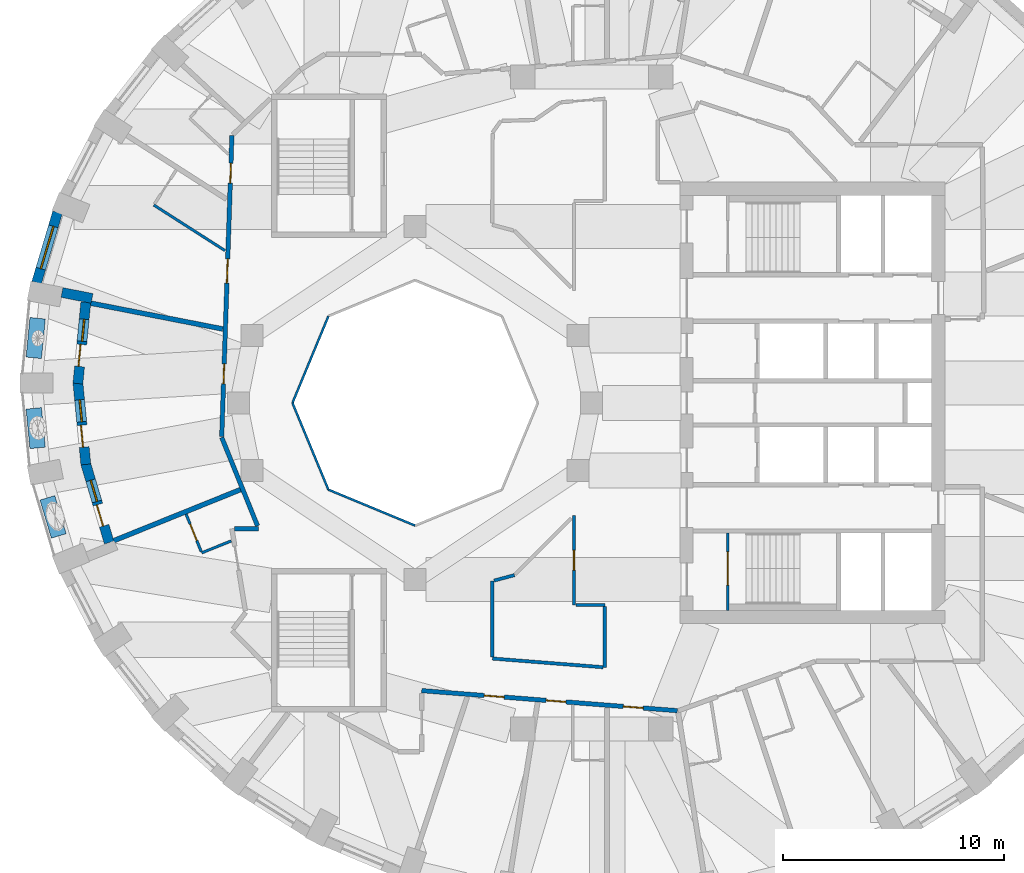
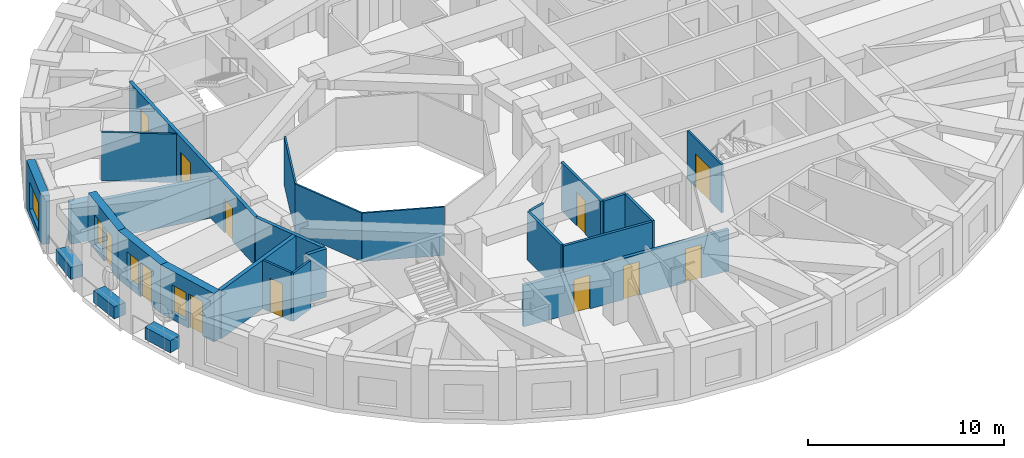
# One storey, part 4 of 12: 27 walls, 12 doors, 4 windows, 16 openings.
"""IFC4 building model written with IfcOpenShell, lengths in metres."""

import ifcopenshell
import ifcopenshell.guid

model = None  # the IFC model being written
_history = None  # IfcOwnerHistory: only IFC2X3 demands one
_inside = {}  # id of a spatial element -> (the spatial element, [elements in it])
_under = {}  # id of a project, library or spatial element -> (it, [spatial elements below it])
_declared = {}  # id of a project -> (the project, [libraries it declares])
_typed = {}  # id of a type object -> (the type object, [elements of that type])
_made_of = {}  # id of a material, layer set ... -> (it, [elements and type objects made of it])


def new_model(schema):
    """Start an empty IFC model of exactly this schema.

    Asked for "IFC4X3", IfcOpenShell would pick the latest addendum, in which some entities
    have other attributes; the version numbers below select the first issue.
    IFC2X3 requires an IfcOwnerHistory on every rooted entity: one is made here for all.
    """
    global model, _history
    if schema == "IFC4X3":
        model = ifcopenshell.file(schema_version=(4, 3, 0, 0))
    else:
        model = ifcopenshell.file(schema=schema)
    _inside.clear()
    _under.clear()
    _declared.clear()
    _typed.clear()
    _made_of.clear()
    _history = None
    if model.schema == "IFC2X3":
        org = make("IfcOrganization", Name="unknown")
        user = make(
            "IfcPersonAndOrganization",
            ThePerson=make("IfcPerson", FamilyName="unknown"),
            TheOrganization=org,
        )
        app = make(
            "IfcApplication",
            ApplicationDeveloper=org,
            Version="unknown",
            ApplicationFullName="unknown",
            ApplicationIdentifier="unknown",
        )
        _history = make(
            "IfcOwnerHistory",
            OwningUser=user,
            OwningApplication=app,
            ChangeAction="ADDED",
            CreationDate=0,
        )
    return model


def make(cls, **values):
    """One entity of the class cls with the attributes given. An attribute that is None is left unset."""
    return model.create_entity(
        cls, **{name: value for name, value in values.items() if value is not None}
    )


def rooted(cls, **values):
    """An entity with a GlobalId (a new one), such as an element, a storey or a relation."""
    return make(cls, GlobalId=ifcopenshell.guid.new(), OwnerHistory=_history, **values)


def si_unit(unit_type, name, prefix=None):
    """IfcSIUnit, for example si_unit("LENGTHUNIT", "METRE", prefix="MILLI")."""
    return make("IfcSIUnit", UnitType=unit_type, Prefix=prefix, Name=name)


def assignment(units):
    """IfcUnitAssignment: the units of a project."""
    return None if units is None else make("IfcUnitAssignment", Units=units)


def point(xyz):
    """IfcCartesianPoint."""
    return None if xyz is None else make("IfcCartesianPoint", Coordinates=xyz)


def direction(xyz):
    """IfcDirection."""
    return None if xyz is None else make("IfcDirection", DirectionRatios=xyz)


def frame(location, z_axis=None, x_axis=None):
    """IfcAxis2Placement3D, a coordinate frame: its origin and axes. An axis left out is left unset."""
    return make(
        "IfcAxis2Placement3D",
        Location=point(location),
        Axis=direction(z_axis),
        RefDirection=direction(x_axis),
    )


def frame_2d(location, x_axis=None):
    """IfcAxis2Placement2D, a coordinate frame in the plane: its origin and x axis."""
    return make(
        "IfcAxis2Placement2D", Location=point(location), RefDirection=direction(x_axis)
    )


def origin():
    """The frame at (0, 0, 0) with its axes left unset."""
    return frame((0.0, 0.0, 0.0))


def place(relative_to, where):
    """IfcLocalPlacement: puts the frame where relative to a parent placement (None: the world)."""
    return make(
        "IfcLocalPlacement", PlacementRelTo=relative_to, RelativePlacement=where
    )


def context(
    kind, dimensions, precision=None, world=None, true_north=None, identifier=None
):
    """IfcGeometricRepresentationContext, for example the 3D "Model" context."""
    return make(
        "IfcGeometricRepresentationContext",
        ContextIdentifier=identifier,
        ContextType=kind,
        CoordinateSpaceDimension=dimensions,
        Precision=precision,
        WorldCoordinateSystem=world,
        TrueNorth=true_north,
    )


def subcontext(parent, identifier, kind, view, scale=None):
    """IfcGeometricRepresentationSubContext, for example "Body" below "Model"."""
    return make(
        "IfcGeometricRepresentationSubContext",
        ContextIdentifier=identifier,
        ContextType=kind,
        ParentContext=parent,
        TargetScale=scale,
        TargetView=view,
    )


def project(units=None, contexts=None):
    """IfcProject with its units and contexts."""
    return rooted(
        "IfcProject",
        Name="project",
        RepresentationContexts=contexts,
        UnitsInContext=assignment(units),
    )


def spatial(cls, under=None, at=None, **own):
    """A site, building, storey or space (cls), placed at a placement, below another one or the project."""
    s = rooted(cls, ObjectPlacement=at, **own)
    if under is not None:
        _under.setdefault(under.id(), (under, []))[1].append(s)
    return s


def profile(cls, at=None, kind="AREA", **sizes):
    """A parametric profile (cls). Its sizes go by their IFC names, for example OverallWidth=200.0."""
    return make(cls, ProfileType=kind, Position=at, **sizes)


def rectangle(**sizes):
    """IfcRectangleProfileDef."""
    return profile("IfcRectangleProfileDef", **sizes)


def extrude(swept, where, along, depth):
    """IfcExtrudedAreaSolid: the profile swept, set in the frame where, extruded along a direction by depth."""
    return make(
        "IfcExtrudedAreaSolid",
        SweptArea=swept,
        Position=where,
        ExtrudedDirection=direction(along),
        Depth=depth,
    )


def shape(context_of_items, identifier, shape_type, items):
    """IfcShapeRepresentation: the items that make up one representation, for example the "Body"."""
    return make(
        "IfcShapeRepresentation",
        ContextOfItems=context_of_items,
        RepresentationIdentifier=identifier,
        RepresentationType=shape_type,
        Items=items,
    )


def material(Name=None, Category=None):
    """IfcMaterial."""
    return make("IfcMaterial", Name=Name, Category=Category)


def layer(
    of_material, thickness, ventilated=None, Name=None, Category=None, Priority=None
):
    """IfcMaterialLayer: one layer of a wall or slab, of a material (None: an air gap)."""
    return make(
        "IfcMaterialLayer",
        Material=of_material,
        LayerThickness=thickness,
        IsVentilated=ventilated,
        Name=Name,
        Category=Category,
        Priority=Priority,
    )


def layer_set(layers, Name=None):
    """IfcMaterialLayerSet."""
    return make("IfcMaterialLayerSet", MaterialLayers=layers, LayerSetName=Name)


def constituent(of_material, Name=None, Category=None, fraction=None):
    """IfcMaterialConstituent: one of the materials an element consists of."""
    return make(
        "IfcMaterialConstituent",
        Name=Name,
        Material=of_material,
        Fraction=fraction,
        Category=Category,
    )


def constituent_set(constituents=None, Name=None):
    """IfcMaterialConstituentSet."""
    return make(
        "IfcMaterialConstituentSet", Name=Name, MaterialConstituents=constituents
    )


def made_of(thing, what):
    """Note that an element or type object is made of a material, layer set ...; save() writes the relation."""
    if what is not None:
        _made_of.setdefault(what.id(), (what, []))[1].append(thing)
    return thing


def type_object(cls, material=None, **own):
    """A type object (cls), such as IfcWallType, which elements share."""
    return made_of(rooted(cls, **own), material)


def element(
    cls,
    number,
    at=None,
    inside=None,
    cuts=None,
    type_object=None,
    material=None,
    context=None,
    identifier="Body",
    shape_type=None,
    held_by="IfcProductDefinitionShape",
    body=None,
    shapes=None,
    **own,
):
    """One element of the class cls, such as IfcWall. Its Tag is "e" and its number.

    at: its placement. inside: the storey or other place that contains it. cuts: it is an
    opening in that element (IfcRelVoidsElement). A single representation is given by context,
    identifier, shape_type and body (its items); several are given by shapes. held_by: the class
    of the entity that holds the representations. save() writes the other relations.
    """
    e = rooted(cls, Tag="e%d" % number, ObjectPlacement=at, **own)
    if body is not None:
        shapes = [shape(context, identifier, shape_type, body)]
    if shapes is not None:
        e.Representation = make(held_by, Representations=shapes)
    if inside is not None:
        _inside.setdefault(inside.id(), (inside, []))[1].append(e)
    if cuts is not None:
        rooted(
            "IfcRelVoidsElement", RelatingBuildingElement=cuts, RelatedOpeningElement=e
        )
    if type_object is not None:
        _typed.setdefault(type_object.id(), (type_object, []))[1].append(e)
    return made_of(e, material)


def fill(opening, filler):
    """IfcRelFillsElement: the door or window that sits in an opening."""
    return rooted(
        "IfcRelFillsElement",
        RelatingOpeningElement=opening,
        RelatedBuildingElement=filler,
    )


def aggregate(whole, parts):
    """IfcRelAggregates: a whole, such as a stair, and the parts it consists of."""
    return rooted("IfcRelAggregates", RelatingObject=whole, RelatedObjects=parts)


def save(model, path):
    """Write the relations noted so far, then the file.

    IfcRelAggregates (storeys below a building ...), IfcRelContainedInSpatialStructure (elements
    in a storey), IfcRelDefinesByType, IfcRelAssociatesMaterial and IfcRelDeclares: one each for
    every whole, place, type object, material and project.
    """
    for whole, parts in _under.values():
        aggregate(whole, parts)
    for where, things in _inside.values():
        rooted(
            "IfcRelContainedInSpatialStructure",
            RelatedElements=things,
            RelatingStructure=where,
        )
    for kind, things in _typed.values():
        rooted("IfcRelDefinesByType", RelatedObjects=things, RelatingType=kind)
    for what, things in _made_of.values():
        rooted("IfcRelAssociatesMaterial", RelatedObjects=things, RelatingMaterial=what)
    for by, libraries in _declared.values():
        rooted("IfcRelDeclares", RelatingContext=by, RelatedDefinitions=libraries)
    model.write(path)


model = new_model("IFC4")

# Units and contexts
model_context = context("Model", 3, precision=1e-05, world=origin(), true_north=direction((0.0, 1.0)))
body_context = subcontext(model_context, "Body", "Model", "MODEL_VIEW")
ifc_project = project(units=[si_unit("LENGTHUNIT", "METRE"), si_unit("AREAUNIT", "SQUARE_METRE"), si_unit("VOLUMEUNIT", "CUBIC_METRE"), si_unit("PLANEANGLEUNIT", "RADIAN"), si_unit("MASSUNIT", "GRAM", prefix="KILO")], contexts=[model_context])

# Site, building, storey
site_placement = place(None, origin())
site = spatial("IfcSite", under=ifc_project, at=site_placement, CompositionType="ELEMENT")
building_placement = place(site_placement, origin())
building = spatial("IfcBuilding", under=site, at=building_placement, Name="Taillehof Tower", CompositionType="ELEMENT")
storey_placement = place(building_placement, frame((0.0, 0.0, 192.5)))
storey = spatial("IfcBuildingStorey", under=building, at=storey_placement, Name="L54", CompositionType="ELEMENT", Elevation=192.5)

# Walls
ifc_material_1 = material(Name="Fire-resisting glass in steel frame", Category="steel")
ifc_layer_1 = layer(ifc_material_1, 0.10009765625)
ifc_layer_set_1 = layer_set([ifc_layer_1], Name="Atrium fire-resisting screen EI 60 100")
wall_type_1 = type_object("IfcWallType", Name="Atrium fire-resisting screen EI 60 100", PredefinedType="PARTITIONING", material=ifc_layer_set_1)
for number, where, z_axis, x_axis, name in (
    (1, (-8.0, -5.55419921875, 0.0), (0.0, 0.0, 1.0), (-0.923860025149, 0.382730523909, 0.0), "Atrium screen"),
    (2, (-11.92724609375, -3.92724609375, 0.0), (0.0, 0.0, 1.0), (-0.382730523909, 0.923860025149, 0.0), "Atrium screen"),
    (3, (-13.55419921875, 0.0, 0.0), (0.0, 0.0, 1.0), (0.382730523909, 0.923860025149, 0.0), "Atrium screen"),
):
    element("IfcWall", number, at=place(storey_placement, frame(where, z_axis=z_axis, x_axis=x_axis)), inside=storey, type_object=wall_type_1, Name=name, PredefinedType="PARTITIONING", context=body_context, shape_type="SweptSolid", body=[
        extrude(rectangle(XDim=4.2509765625, YDim=0.10009765625, at=frame_2d((2.12548828125, 0.0))), origin(), (0.0, 0.0, 1.0), 3.02001953125),
    ])

# Wall, opening, window
ifc_material_2 = material(Name="Brick masonry", Category="masonry")
ifc_layer_2 = layer(ifc_material_2, 0.449951171875)
ifc_layer_set_2 = layer_set([ifc_layer_2], Name="Brick infill wall 450")
wall_type_2 = type_object("IfcWallType", Name="Brick infill wall 450", PredefinedType="SOLIDWALL", material=ifc_layer_set_2)
wall_1_placement = place(storey_placement, frame((-24.200439453125, 8.634033203125, 0.0), z_axis=(0.0, 0.0, 1.0), x_axis=(-0.285444972963, -0.958395099847, 0.0)))
wall_1 = element("IfcWall", 4, at=wall_1_placement, inside=storey, type_object=wall_type_2, Name="Brick wall L54 bay 17", PredefinedType="SOLIDWALL", context=body_context, shape_type="SweptSolid", body=[
    extrude(rectangle(XDim=3.3203125, YDim=0.449951171875, at=frame_2d((1.66015625, 0.0))), origin(), (0.0, 0.0, 1.0), 3.02001953125),
])
opening_1_placement = place(wall_1_placement, frame((0.66015625, 0.0, 0.39990234375)))
opening_1 = element("IfcOpeningElement", 5, at=opening_1_placement, cuts=wall_1, Name="Opening W2", PredefinedType="OPENING", context=body_context, shape_type="SweptSolid", body=[
    extrude(rectangle(XDim=2.0, YDim=1.75, at=frame_2d((1.0, 0.875))), frame((0.0, 0.23486328125, 0.0), z_axis=(0.0, -1.0, 0.0), x_axis=(1.0, 0.0, 0.0)), (0.0, 0.0, 1.0), 0.469970703125),
])
ifc_material_3 = material(Name="Aluminium window frame with clear double glazing", Category="aluminium")
window_type_1 = type_object("IfcWindowType", Name="Deep-set window 2000x1750", PartitioningType="SINGLE_PANEL", PredefinedType="WINDOW", material=ifc_material_3)
window_1_placement = place(opening_1_placement, origin())
window_1 = element("IfcWindow", 6, at=window_1_placement, inside=storey, type_object=window_type_1, Name="W2", OverallHeight=1.75, OverallWidth=2.0, PartitioningType="SINGLE_PANEL", PredefinedType="WINDOW", context=body_context, shape_type="SweptSolid", body=[
    extrude(rectangle(XDim=2.0, YDim=1.75, at=frame_2d((1.0, 0.875))), frame((0.0, 0.034912109375, 0.0), z_axis=(0.0, -1.0, 0.0), x_axis=(1.0, 0.0, 0.0)), (0.0, 0.0, 1.0), 0.06005859375),
])
fill(opening_1, window_1)

# Wall
wall_2_placement = place(storey_placement, frame((-24.000244140625, 5.004638671875, 0.0), z_axis=(0.0, 0.0, 1.0), x_axis=(0.981402725872, -0.191960125157, 0.0)))
element("IfcWall", 7, at=wall_2_placement, inside=storey, type_object=wall_type_2, Name="Brick reveal L54 pocket 5", PredefinedType="SOLIDWALL", context=body_context, shape_type="SweptSolid", body=[
    extrude(rectangle(XDim=1.39013671875, YDim=0.449951171875, at=frame_2d((0.695068359375, 0.0))), origin(), (0.0, 0.0, 1.0), 2.469970703125),
])

# Wall, openings, door, window
wall_3_placement = place(storey_placement, frame((-22.918701171875, 4.56396484375, 0.0), z_axis=(0.0, 0.0, 1.0), x_axis=(-0.096520145037, -0.995331031166, 0.0)))
wall_3 = element("IfcWall", 8, at=wall_3_placement, inside=storey, type_object=wall_type_2, Name="Brick wall L54 pocket bay 18", PredefinedType="SOLIDWALL", context=body_context, shape_type="SweptSolid", body=[
    extrude(rectangle(XDim=3.703125, YDim=0.449951171875, at=frame_2d((1.8515625, 0.0))), origin(), (0.0, 0.0, 1.0), 3.02001953125),
])
opening_2_placement = place(wall_3_placement, frame((0.7763671875, 0.0, 0.39990234375)))
opening_2 = element("IfcOpeningElement", 9, at=opening_2_placement, cuts=wall_3, Name="Opening W5", PredefinedType="OPENING", context=body_context, shape_type="SweptSolid", body=[
    extrude(rectangle(XDim=1.0, YDim=1.75, at=frame_2d((0.5, 0.875))), frame((0.0, 0.23486328125, 0.0), z_axis=(0.0, -1.0, 0.0), x_axis=(1.0, 0.0, 0.0)), (0.0, 0.0, 1.0), 0.469970703125),
])
opening_3_placement = place(wall_3_placement, frame((1.926513671875, 0.0, 0.0)))
opening_3 = element("IfcOpeningElement", 10, at=opening_3_placement, cuts=wall_3, Name="Opening D5494", PredefinedType="OPENING", context=body_context, shape_type="SweptSolid", body=[
    extrude(rectangle(XDim=1.0, YDim=2.14990234375, at=frame_2d((0.5, 1.074951171875))), frame((0.0, 0.23486328125, 0.0), z_axis=(0.0, -1.0, 0.0), x_axis=(1.0, 0.0, 0.0)), (0.0, 0.0, 1.0), 0.469970703125),
])
ifc_material_4 = material(Name="Aluminium door frame with clear double glazing", Category="aluminium")
door_type_1 = type_object("IfcDoorType", Name="Balcony door 1000x2150", OperationType="SINGLE_SWING_RIGHT", PredefinedType="DOOR", material=ifc_material_4)
door_1_placement = place(opening_3_placement, frame((1.0, 0.0, 0.0), z_axis=(0.0, 0.0, 1.0), x_axis=(-1.0, 0.0, 0.0)))
door_1 = element("IfcDoor", 11, at=door_1_placement, inside=storey, type_object=door_type_1, Name="Balcony door L54 bay 18", OperationType="SINGLE_SWING_RIGHT", OverallHeight=2.14990234375, OverallWidth=1.0, PredefinedType="DOOR", context=body_context, shape_type="SweptSolid", body=[
    extrude(rectangle(XDim=1.0, YDim=2.14990234375, at=frame_2d((0.5, 1.074951171875))), frame((0.0, 0.0751953125, 0.0), z_axis=(0.0, -1.0, 0.0), x_axis=(1.0, 0.0, 0.0)), (0.0, 0.0, 1.0), 0.050048828125),
])
fill(opening_3, door_1)
ifc_material_5 = material(Name="Aluminium window frame with clear double glazing", Category="aluminium")
window_type_2 = type_object("IfcWindowType", Name="Fixed window 1000x1750", PartitioningType="SINGLE_PANEL", PredefinedType="WINDOW", material=ifc_material_5)
window_2_placement = place(opening_2_placement, origin())
window_2 = element("IfcWindow", 12, at=window_2_placement, inside=storey, type_object=window_type_2, Name="W5", OverallHeight=1.75, OverallWidth=1.0, PartitioningType="SINGLE_PANEL", PredefinedType="WINDOW", context=body_context, shape_type="SweptSolid", body=[
    extrude(rectangle(XDim=1.0, YDim=1.75, at=frame_2d((0.5, 0.875))), frame((0.0, 0.034912109375, 0.0), z_axis=(0.0, -1.0, 0.0), x_axis=(1.0, 0.0, 0.0)), (0.0, 0.0, 1.0), 0.06005859375),
])
fill(opening_2, window_2)

wall_4_placement = place(storey_placement, frame((-23.276123046875, 0.921630859375, 0.0), z_axis=(0.0, 0.0, 1.0), x_axis=(0.096556729592, -0.995327482777, 0.0)))
wall_4 = element("IfcWall", 13, at=wall_4_placement, inside=storey, type_object=wall_type_2, Name="Brick wall L54 pocket bay 19", PredefinedType="SOLIDWALL", context=body_context, shape_type="SweptSolid", body=[
    extrude(rectangle(XDim=3.724365234375, YDim=0.449951171875, at=frame_2d((1.8623046875, 0.0))), origin(), (0.0, 0.0, 1.0), 3.02001953125),
])
opening_4_placement = place(wall_4_placement, frame((0.787353515625, 0.0, 0.39990234375)))
opening_4 = element("IfcOpeningElement", 14, at=opening_4_placement, cuts=wall_4, Name="Opening W5", PredefinedType="OPENING", context=body_context, shape_type="SweptSolid", body=[
    extrude(rectangle(XDim=1.0, YDim=1.75, at=frame_2d((0.5, 0.875))), frame((0.0, 0.23486328125, 0.0), z_axis=(0.0, -1.0, 0.0), x_axis=(1.0, 0.0, 0.0)), (0.0, 0.0, 1.0), 0.469970703125),
])
opening_5_placement = place(wall_4_placement, frame((1.937255859375, 0.0, 0.0)))
opening_5 = element("IfcOpeningElement", 15, at=opening_5_placement, cuts=wall_4, Name="Opening D5495", PredefinedType="OPENING", context=body_context, shape_type="SweptSolid", body=[
    extrude(rectangle(XDim=1.0, YDim=2.14990234375, at=frame_2d((0.5, 1.074951171875))), frame((0.0, 0.23486328125, 0.0), z_axis=(0.0, -1.0, 0.0), x_axis=(1.0, 0.0, 0.0)), (0.0, 0.0, 1.0), 0.469970703125),
])
door_2_placement = place(opening_5_placement, frame((1.0, 0.0, 0.0), z_axis=(0.0, 0.0, 1.0), x_axis=(-1.0, 0.0, 0.0)))
door_2 = element("IfcDoor", 16, at=door_2_placement, inside=storey, type_object=door_type_1, Name="Balcony door L54 bay 19", OperationType="SINGLE_SWING_LEFT", OverallHeight=2.14990234375, OverallWidth=1.0, PredefinedType="DOOR", context=body_context, shape_type="SweptSolid", body=[
    extrude(rectangle(XDim=1.0, YDim=2.14990234375, at=frame_2d((0.5, 1.074951171875))), frame((0.0, 0.0751953125, 0.0), z_axis=(0.0, -1.0, 0.0), x_axis=(1.0, 0.0, 0.0)), (0.0, 0.0, 1.0), 0.050048828125),
])
fill(opening_5, door_2)
window_3_placement = place(opening_4_placement, origin())
window_3 = element("IfcWindow", 17, at=window_3_placement, inside=storey, type_object=window_type_2, Name="W5", OverallHeight=1.75, OverallWidth=1.0, PartitioningType="SINGLE_PANEL", PredefinedType="WINDOW", context=body_context, shape_type="SweptSolid", body=[
    extrude(rectangle(XDim=1.0, YDim=1.75, at=frame_2d((0.5, 0.875))), frame((0.0, 0.034912109375, 0.0), z_axis=(0.0, -1.0, 0.0), x_axis=(1.0, 0.0, 0.0)), (0.0, 0.0, 1.0), 0.06005859375),
])
fill(opening_4, window_3)

wall_5_placement = place(storey_placement, frame((-22.9248046875, -2.7431640625, 0.0), z_axis=(0.0, 0.0, 1.0), x_axis=(0.284722093158, -0.958610103049, 0.0)))
wall_5 = element("IfcWall", 18, at=wall_5_placement, inside=storey, type_object=wall_type_2, Name="Brick wall L54 pocket bay 20", PredefinedType="SOLIDWALL", context=body_context, shape_type="SweptSolid", body=[
    extrude(rectangle(XDim=3.73779296875, YDim=0.449951171875, at=frame_2d((1.868896484375, 0.0))), origin(), (0.0, 0.0, 1.0), 3.02001953125),
])
opening_6_placement = place(wall_5_placement, frame((0.793701171875, 0.0, 0.39990234375)))
opening_6 = element("IfcOpeningElement", 19, at=opening_6_placement, cuts=wall_5, Name="Opening W5", PredefinedType="OPENING", context=body_context, shape_type="SweptSolid", body=[
    extrude(rectangle(XDim=1.0, YDim=1.75, at=frame_2d((0.5, 0.875))), frame((0.0, 0.23486328125, 0.0), z_axis=(0.0, -1.0, 0.0), x_axis=(1.0, 0.0, 0.0)), (0.0, 0.0, 1.0), 0.469970703125),
])
opening_7_placement = place(wall_5_placement, frame((1.94384765625, 0.0, 0.0)))
opening_7 = element("IfcOpeningElement", 20, at=opening_7_placement, cuts=wall_5, Name="Opening D5496", PredefinedType="OPENING", context=body_context, shape_type="SweptSolid", body=[
    extrude(rectangle(XDim=1.0, YDim=2.14990234375, at=frame_2d((0.5, 1.074951171875))), frame((0.0, 0.23486328125, 0.0), z_axis=(0.0, -1.0, 0.0), x_axis=(1.0, 0.0, 0.0)), (0.0, 0.0, 1.0), 0.469970703125),
])
door_3_placement = place(opening_7_placement, frame((1.0, 0.0, 0.0), z_axis=(0.0, 0.0, 1.0), x_axis=(-1.0, 0.0, 0.0)))
door_3 = element("IfcDoor", 21, at=door_3_placement, inside=storey, type_object=door_type_1, Name="Balcony door L54 bay 20", OperationType="SINGLE_SWING_LEFT", OverallHeight=2.14990234375, OverallWidth=1.0, PredefinedType="DOOR", context=body_context, shape_type="SweptSolid", body=[
    extrude(rectangle(XDim=1.0, YDim=2.14990234375, at=frame_2d((0.5, 1.074951171875))), frame((0.0, 0.0751953125, 0.0), z_axis=(0.0, -1.0, 0.0), x_axis=(1.0, 0.0, 0.0)), (0.0, 0.0, 1.0), 0.050048828125),
])
fill(opening_7, door_3)
window_4_placement = place(opening_6_placement, origin())
window_4 = element("IfcWindow", 22, at=window_4_placement, inside=storey, type_object=window_type_2, Name="W5", OverallHeight=1.75, OverallWidth=1.0, PartitioningType="SINGLE_PANEL", PredefinedType="WINDOW", context=body_context, shape_type="SweptSolid", body=[
    extrude(rectangle(XDim=1.0, YDim=1.75, at=frame_2d((0.5, 0.875))), frame((0.0, 0.034912109375, 0.0), z_axis=(0.0, -1.0, 0.0), x_axis=(1.0, 0.0, 0.0)), (0.0, 0.0, 1.0), 0.06005859375),
])
fill(opening_6, window_4)

# Wall, openings, doors
ifc_material_6 = material(Name="Gypsum board on steel studs, two layers each side", Category="steel")
ifc_layer_3 = layer(ifc_material_6, 0.199951171875)
ifc_layer_set_3 = layer_set([ifc_layer_3], Name="Compartment wall corridor 200")
wall_type_3 = type_object("IfcWallType", Name="Compartment wall corridor 200", PredefinedType="PARTITIONING", material=ifc_layer_set_3)
wall_6_placement = place(storey_placement, frame((3.880615234375, -13.94287109375, 0.0), z_axis=(0.0, 0.0, 1.0), x_axis=(-0.996932335491, 0.078268246772, 0.0)))
wall_6 = element("IfcWall", 23, at=wall_6_placement, inside=storey, type_object=wall_type_3, Name="Compartment wall", PredefinedType="PARTITIONING", context=body_context, shape_type="SweptSolid", body=[
    extrude(rectangle(XDim=11.6162109375, YDim=0.199951171875, at=frame_2d((5.80810546875, 0.0))), origin(), (0.0, 0.0, 1.0), 2.570068359375),
])
opening_8_placement = place(wall_6_placement, frame((7.87109375, 0.0, 0.0)))
opening_8 = element("IfcOpeningElement", 24, at=opening_8_placement, cuts=wall_6, Name="Opening D5458", PredefinedType="OPENING", context=body_context, shape_type="SweptSolid", body=[
    extrude(rectangle(XDim=0.89990234375, YDim=2.10009765625, at=frame_2d((0.449951171875, 1.050048828125))), frame((0.0, 0.10986328125, 0.0), z_axis=(0.0, -1.0, 0.0), x_axis=(1.0, 0.0, 0.0)), (0.0, 0.0, 1.0), 0.219970703125),
])
opening_9_placement = place(wall_6_placement, frame((5.06201171875, 0.0, 0.0)))
opening_9 = element("IfcOpeningElement", 25, at=opening_9_placement, cuts=wall_6, Name="Opening D5459", PredefinedType="OPENING", context=body_context, shape_type="SweptSolid", body=[
    extrude(rectangle(XDim=0.89990234375, YDim=2.10009765625, at=frame_2d((0.449951171875, 1.050048828125))), frame((0.0, 0.10986328125, 0.0), z_axis=(0.0, -1.0, 0.0), x_axis=(1.0, 0.0, 0.0)), (0.0, 0.0, 1.0), 0.219970703125),
])
opening_10_placement = place(wall_6_placement, frame((1.554443359375, 0.0, 0.0)))
opening_10 = element("IfcOpeningElement", 26, at=opening_10_placement, cuts=wall_6, Name="Opening D5461", PredefinedType="OPENING", context=body_context, shape_type="SweptSolid", body=[
    extrude(rectangle(XDim=0.89990234375, YDim=2.10009765625, at=frame_2d((0.449951171875, 1.050048828125))), frame((0.0, 0.10986328125, 0.0), z_axis=(0.0, -1.0, 0.0), x_axis=(1.0, 0.0, 0.0)), (0.0, 0.0, 1.0), 0.219970703125),
])
ifc_material_7 = material(Name="Timber door leaf in steel frame", Category="steel")
door_type_2 = type_object("IfcDoorType", Name="Guest room door EI 30 900 x 2100", OperationType="SINGLE_SWING_LEFT", PredefinedType="DOOR", material=ifc_material_7)
door_4_placement = place(opening_9_placement, origin())
door_4 = element("IfcDoor", 27, at=door_4_placement, inside=storey, type_object=door_type_2, Name="D5459", OperationType="SINGLE_SWING_RIGHT", OverallHeight=2.10009765625, OverallWidth=0.89990234375, PredefinedType="DOOR", context=body_context, shape_type="SweptSolid", body=[
    extrude(rectangle(XDim=0.89990234375, YDim=2.10009765625, at=frame_2d((0.449951171875, 1.050048828125))), frame((0.0, 0.02490234375, 0.0), z_axis=(0.0, -1.0, 0.0), x_axis=(1.0, 0.0, 0.0)), (0.0, 0.0, 1.0), 0.050048828125),
])
fill(opening_9, door_4)
ifc_material_8 = material(Name="Timber door leaf in steel frame", Category="steel")
door_type_3 = type_object("IfcDoorType", Name="Service room door EI 30 900 x 2100", OperationType="SINGLE_SWING_LEFT", PredefinedType="DOOR", material=ifc_material_8)
door_5_placement = place(opening_8_placement, origin())
door_5 = element("IfcDoor", 28, at=door_5_placement, inside=storey, type_object=door_type_3, Name="D5458", OperationType="SINGLE_SWING_RIGHT", OverallHeight=2.10009765625, OverallWidth=0.89990234375, PredefinedType="DOOR", context=body_context, shape_type="SweptSolid", body=[
    extrude(rectangle(XDim=0.89990234375, YDim=2.10009765625, at=frame_2d((0.449951171875, 1.050048828125))), frame((0.0, 0.02490234375, 0.0), z_axis=(0.0, -1.0, 0.0), x_axis=(1.0, 0.0, 0.0)), (0.0, 0.0, 1.0), 0.050048828125),
])
fill(opening_8, door_5)
door_6_placement = place(opening_10_placement, origin())
door_6 = element("IfcDoor", 29, at=door_6_placement, inside=storey, type_object=door_type_3, Name="D5461", OperationType="SINGLE_SWING_RIGHT", OverallHeight=2.10009765625, OverallWidth=0.89990234375, PredefinedType="DOOR", context=body_context, shape_type="SweptSolid", body=[
    extrude(rectangle(XDim=0.89990234375, YDim=2.10009765625, at=frame_2d((0.449951171875, 1.050048828125))), frame((0.0, 0.02490234375, 0.0), z_axis=(0.0, -1.0, 0.0), x_axis=(1.0, 0.0, 0.0)), (0.0, 0.0, 1.0), 0.050048828125),
])
fill(opening_10, door_6)

# Walls
wall_7_placement = place(storey_placement, frame((-16.179931640625, -5.699951171875, 0.0), z_axis=(0.0, 0.0, 1.0), x_axis=(1.0, 0.0, 0.0)))
element("IfcWall", 30, at=wall_7_placement, inside=storey, type_object=wall_type_3, Name="Compartment wall", PredefinedType="PARTITIONING", context=body_context, shape_type="SweptSolid", body=[
    extrude(rectangle(XDim=1.095947265625, YDim=0.199951171875, at=frame_2d((0.5478515625, 0.0))), origin(), (0.0, 0.0, 1.0), 3.02001953125),
])
wall_8_placement = place(storey_placement, frame((-15.136962890625, -5.570068359375, 0.0), z_axis=(0.0, 0.0, 1.0), x_axis=(-0.375464059939, 0.926836954213, 0.0)))
element("IfcWall", 31, at=wall_8_placement, inside=storey, type_object=wall_type_3, Name="Compartment wall", PredefinedType="PARTITIONING", context=body_context, shape_type="SweptSolid", body=[
    extrude(rectangle(XDim=4.325927734375, YDim=0.199951171875, at=frame_2d((2.1630859375, 0.0))), origin(), (0.0, 0.0, 1.0), 3.02001953125),
])

# Wall, openings, doors
wall_9_placement = place(storey_placement, frame((-16.759765625, -1.5205078125, 0.0), z_axis=(0.0, 0.0, 1.0), x_axis=(0.033695560079, 0.999432143385, 0.0)))
wall_9 = element("IfcWall", 32, at=wall_9_placement, inside=storey, type_object=wall_type_3, Name="Compartment wall", PredefinedType="PARTITIONING", context=body_context, shape_type="SweptSolid", body=[
    extrude(rectangle(XDim=13.643310546875, YDim=0.199951171875, at=frame_2d((6.82177734375, 0.0))), origin(), (0.0, 0.0, 1.0), 3.02001953125),
])
opening_11_placement = place(wall_9_placement, frame((11.48876953125, 0.0, 0.0)))
opening_11 = element("IfcOpeningElement", 33, at=opening_11_placement, cuts=wall_9, Name="Opening D5450", PredefinedType="OPENING", context=body_context, shape_type="SweptSolid", body=[
    extrude(rectangle(XDim=0.89990234375, YDim=2.10009765625, at=frame_2d((0.449951171875, 1.050048828125))), frame((0.0, 0.10986328125, 0.0), z_axis=(0.0, -1.0, 0.0), x_axis=(1.0, 0.0, 0.0)), (0.0, 0.0, 1.0), 0.219970703125),
])
opening_12_placement = place(wall_9_placement, frame((6.953857421875, 0.0, 0.0)))
opening_12 = element("IfcOpeningElement", 34, at=opening_12_placement, cuts=wall_9, Name="Opening D5452", PredefinedType="OPENING", context=body_context, shape_type="SweptSolid", body=[
    extrude(rectangle(XDim=1.10009765625, YDim=2.10009765625, at=frame_2d((0.550048828125, 1.050048828125))), frame((0.0, 0.10986328125, 0.0), z_axis=(0.0, -1.0, 0.0), x_axis=(1.0, 0.0, 0.0)), (0.0, 0.0, 1.0), 0.219970703125),
])
opening_13_placement = place(wall_9_placement, frame((2.389892578125, 0.0, 0.0)))
opening_13 = element("IfcOpeningElement", 35, at=opening_13_placement, cuts=wall_9, Name="Opening D5454", PredefinedType="OPENING", context=body_context, shape_type="SweptSolid", body=[
    extrude(rectangle(XDim=0.89990234375, YDim=2.10009765625, at=frame_2d((0.449951171875, 1.050048828125))), frame((0.0, 0.10986328125, 0.0), z_axis=(0.0, -1.0, 0.0), x_axis=(1.0, 0.0, 0.0)), (0.0, 0.0, 1.0), 0.219970703125),
])
door_7_placement = place(opening_11_placement, origin())
door_7 = element("IfcDoor", 36, at=door_7_placement, inside=storey, type_object=door_type_2, Name="D5450", OperationType="SINGLE_SWING_RIGHT", OverallHeight=2.10009765625, OverallWidth=0.89990234375, PredefinedType="DOOR", context=body_context, shape_type="SweptSolid", body=[
    extrude(rectangle(XDim=0.89990234375, YDim=2.10009765625, at=frame_2d((0.449951171875, 1.050048828125))), frame((0.0, 0.02490234375, 0.0), z_axis=(0.0, -1.0, 0.0), x_axis=(1.0, 0.0, 0.0)), (0.0, 0.0, 1.0), 0.050048828125),
])
fill(opening_11, door_7)
door_8_placement = place(opening_13_placement, origin())
door_8 = element("IfcDoor", 37, at=door_8_placement, inside=storey, type_object=door_type_3, Name="D5454", OperationType="SINGLE_SWING_RIGHT", OverallHeight=2.10009765625, OverallWidth=0.89990234375, PredefinedType="DOOR", context=body_context, shape_type="SweptSolid", body=[
    extrude(rectangle(XDim=0.89990234375, YDim=2.10009765625, at=frame_2d((0.449951171875, 1.050048828125))), frame((0.0, 0.02490234375, 0.0), z_axis=(0.0, -1.0, 0.0), x_axis=(1.0, 0.0, 0.0)), (0.0, 0.0, 1.0), 0.050048828125),
])
fill(opening_13, door_8)
ifc_material_9 = material(Name="Timber door leaf in steel frame", Category="steel")
door_type_4 = type_object("IfcDoorType", Name="Suite entrance door EI 30 1100 x 2100", OperationType="SINGLE_SWING_LEFT", PredefinedType="DOOR", material=ifc_material_9)
door_9_placement = place(opening_12_placement, origin())
door_9 = element("IfcDoor", 38, at=door_9_placement, inside=storey, type_object=door_type_4, Name="D5452", OperationType="SINGLE_SWING_RIGHT", OverallHeight=2.10009765625, OverallWidth=1.10009765625, PredefinedType="DOOR", context=body_context, shape_type="SweptSolid", body=[
    extrude(rectangle(XDim=1.10009765625, YDim=2.10009765625, at=frame_2d((0.550048828125, 1.050048828125))), frame((0.0, 0.02490234375, 0.0), z_axis=(0.0, -1.0, 0.0), x_axis=(1.0, 0.0, 0.0)), (0.0, 0.0, 1.0), 0.050048828125),
])
fill(opening_12, door_9)

# Walls
ifc_material_10 = material(Name="Gypsum board on double steel studs with mineral wool", Category="steel")
ifc_layer_4 = layer(ifc_material_10, 0.219970703125)
ifc_layer_set_4 = layer_set([ifc_layer_4], Name="Compartment wall guest room 220")
wall_type_4 = type_object("IfcWallType", Name="Compartment wall guest room 220", PredefinedType="PARTITIONING", material=ifc_layer_set_4)
wall_10_placement = place(storey_placement, frame((-22.69677734375, 4.5205078125, 0.0), z_axis=(0.0, 0.0, 1.0), x_axis=(0.981441525081, -0.19176165635, 0.0)))
element("IfcWall", 39, at=wall_10_placement, inside=storey, type_object=wall_type_4, Name="Compartment wall", PredefinedType="PARTITIONING", context=body_context, shape_type="SweptSolid", body=[
    extrude(rectangle(XDim=6.094482421875, YDim=0.219970703125, at=frame_2d((3.04736328125, 0.0))), origin(), (0.0, 0.0, 1.0), 2.469970703125),
])
wall_11_placement = place(storey_placement, frame((-21.65087890625, -6.241455078125, 0.0), z_axis=(0.0, 0.0, 1.0), x_axis=(0.927381885483, 0.374116076208, 0.0)))
element("IfcWall", 40, at=wall_11_placement, inside=storey, type_object=wall_type_4, Name="Compartment wall", PredefinedType="PARTITIONING", context=body_context, shape_type="SweptSolid", body=[
    extrude(rectangle(XDim=6.189697265625, YDim=0.219970703125, at=frame_2d((3.0947265625, 0.0))), origin(), (0.0, 0.0, 1.0), 3.02001953125),
])

# Wall, opening, door
ifc_material_11 = material(Name="Gypsum board on steel studs, two layers each side", Category="steel")
ifc_layer_5 = layer(ifc_material_11, 0.14990234375)
ifc_layer_set_5 = layer_set([ifc_layer_5], Name="Compartment wall service room 150")
wall_type_5 = type_object("IfcWallType", Name="Compartment wall service room 150", PredefinedType="PARTITIONING", material=ifc_layer_set_5)
wall_12_placement = place(storey_placement, frame((-0.800048828125, -5.103759765625, 0.0), z_axis=(0.0, 0.0, 1.0), x_axis=(0.0, -1.0, 0.0)))
wall_12 = element("IfcWall", 41, at=wall_12_placement, inside=storey, type_object=wall_type_5, Name="Compartment wall", PredefinedType="PARTITIONING", context=body_context, shape_type="SweptSolid", body=[
    extrude(rectangle(XDim=4.046142578125, YDim=0.14990234375, at=frame_2d((2.02294921875, 0.0))), origin(), (0.0, 0.0, 1.0), 3.02001953125),
])
opening_14_placement = place(wall_12_placement, frame((1.572998046875, 0.0, 0.0)))
opening_14 = element("IfcOpeningElement", 42, at=opening_14_placement, cuts=wall_12, Name="Opening D5473", PredefinedType="OPENING", context=body_context, shape_type="SweptSolid", body=[
    extrude(rectangle(XDim=0.89990234375, YDim=2.10009765625, at=frame_2d((0.449951171875, 1.050048828125))), frame((0.0, 0.0849609375, 0.0), z_axis=(0.0, -1.0, 0.0), x_axis=(1.0, 0.0, 0.0)), (0.0, 0.0, 1.0), 0.169921875),
])
door_10_placement = place(opening_14_placement, origin())
door_10 = element("IfcDoor", 43, at=door_10_placement, inside=storey, type_object=door_type_3, Name="D5473", OperationType="SINGLE_SWING_RIGHT", OverallHeight=2.10009765625, OverallWidth=0.89990234375, PredefinedType="DOOR", context=body_context, shape_type="SweptSolid", body=[
    extrude(rectangle(XDim=0.89990234375, YDim=2.10009765625, at=frame_2d((0.449951171875, 1.050048828125))), frame((0.0, 0.02490234375, 0.0), z_axis=(0.0, -1.0, 0.0), x_axis=(1.0, 0.0, 0.0)), (0.0, 0.0, 1.0), 0.050048828125),
])
fill(opening_14, door_10)

# Walls
wall_13_placement = place(storey_placement, frame((-0.719970703125, -9.14990234375, 0.0), z_axis=(0.0, 0.0, 1.0), x_axis=(1.0, 0.0, 0.0)))
element("IfcWall", 44, at=wall_13_placement, inside=storey, type_object=wall_type_5, Name="Compartment wall", PredefinedType="PARTITIONING", context=body_context, shape_type="SweptSolid", body=[
    extrude(rectangle(XDim=1.320068359375, YDim=0.14990234375, at=frame_2d((0.66015625, 0.0))), origin(), (0.0, 0.0, 1.0), 3.02001953125),
])
wall_14_placement = place(storey_placement, frame((0.60009765625, -9.22998046875, 0.0), z_axis=(0.0, 0.0, 1.0), x_axis=(0.0, -1.0, 0.0)))
element("IfcWall", 45, at=wall_14_placement, inside=storey, type_object=wall_type_5, Name="Compartment wall", PredefinedType="PARTITIONING", context=body_context, shape_type="SweptSolid", body=[
    extrude(rectangle(XDim=2.75, YDim=0.14990234375, at=frame_2d((1.375, 0.0))), origin(), (0.0, 0.0, 1.0), 3.02001953125),
])
wall_15_placement = place(storey_placement, frame((0.52001953125, -11.97412109375, 0.0), z_axis=(0.0, 0.0, 1.0), x_axis=(-0.996925915355, 0.078349979536, 0.0)))
element("IfcWall", 46, at=wall_15_placement, inside=storey, type_object=wall_type_5, Name="Compartment wall", PredefinedType="PARTITIONING", context=body_context, shape_type="SweptSolid", body=[
    extrude(rectangle(XDim=5.035400390625, YDim=0.14990234375, at=frame_2d((2.517578125, 0.0))), origin(), (0.0, 0.0, 1.0), 3.02001953125),
])
wall_16_placement = place(storey_placement, frame((-4.5, -11.49951171875, 0.0), z_axis=(0.0, 0.0, 1.0), x_axis=(0.0, 1.0, 0.0)))
element("IfcWall", 47, at=wall_16_placement, inside=storey, type_object=wall_type_5, Name="Compartment wall", PredefinedType="PARTITIONING", context=body_context, shape_type="SweptSolid", body=[
    extrude(rectangle(XDim=3.430419921875, YDim=0.14990234375, at=frame_2d((1.71533203125, 0.0))), origin(), (0.0, 0.0, 1.0), 3.02001953125),
])
wall_17_placement = place(storey_placement, frame((-4.4228515625, -8.048583984375, 0.0), z_axis=(0.0, 0.0, 1.0), x_axis=(0.96590031435, 0.25891423819, 0.0)))
element("IfcWall", 48, at=wall_17_placement, inside=storey, type_object=wall_type_5, Name="Compartment wall", PredefinedType="PARTITIONING", context=body_context, shape_type="SweptSolid", body=[
    extrude(rectangle(XDim=0.958984375, YDim=0.14990234375, at=frame_2d((0.4794921875, 0.0))), origin(), (0.0, 0.0, 1.0), 3.02001953125),
])
ifc_material_12 = material(Name="Gypsum board on steel studs, moisture resistant", Category="steel")
ifc_layer_6 = layer(ifc_material_12, 0.1201171875)
ifc_layer_set_6 = layer_set([ifc_layer_6], Name="En-suite wall 120")
wall_type_6 = type_object("IfcWallType", Name="En-suite wall 120", PredefinedType="PARTITIONING", material=ifc_layer_set_6)
wall_18_placement = place(storey_placement, frame((-16.6103515625, 6.902099609375, 0.0), z_axis=(0.0, 0.0, 1.0), x_axis=(-0.842288763401, 0.539026566181, 0.0)))
element("IfcWall", 49, at=wall_18_placement, inside=storey, type_object=wall_type_6, Name="En-suite wall", PredefinedType="PARTITIONING", context=body_context, shape_type="SweptSolid", body=[
    extrude(rectangle(XDim=3.830322265625, YDim=0.1201171875, at=frame_2d((1.9150390625, 0.0))), origin(), (0.0, 0.0, 1.0), 3.02001953125),
])
wall_19_placement = place(storey_placement, frame((-16.33056640625, -6.251953125, 0.0), z_axis=(0.0, 0.0, 1.0), x_axis=(-0.927409233125, -0.374048278053, 0.0)))
element("IfcWall", 50, at=wall_19_placement, inside=storey, type_object=wall_type_6, Name="En-suite wall", PredefinedType="PARTITIONING", context=body_context, shape_type="SweptSolid", body=[
    extrude(rectangle(XDim=1.4404296875, YDim=0.1201171875, at=frame_2d((0.72021484375, 0.0))), origin(), (0.0, 0.0, 1.0), 3.02001953125),
])

# Wall, opening, door
wall_20_placement = place(storey_placement, frame((-17.68896484375, -6.735107421875, 0.0), z_axis=(0.0, 0.0, 1.0), x_axis=(-0.374057168462, 0.927405647342, 0.0)))
wall_20 = element("IfcWall", 51, at=wall_20_placement, inside=storey, type_object=wall_type_6, Name="En-suite wall", PredefinedType="PARTITIONING", context=body_context, shape_type="SweptSolid", body=[
    extrude(rectangle(XDim=1.830078125, YDim=0.1201171875, at=frame_2d((0.9150390625, 0.0))), origin(), (0.0, 0.0, 1.0), 3.02001953125),
])
opening_15_placement = place(wall_20_placement, frame((0.5400390625, 0.0, 0.0)))
opening_15 = element("IfcOpeningElement", 52, at=opening_15_placement, cuts=wall_20, Name="Opening D5456", PredefinedType="OPENING", context=body_context, shape_type="SweptSolid", body=[
    extrude(rectangle(XDim=0.800048828125, YDim=2.10009765625, at=frame_2d((0.39990234375, 1.050048828125))), frame((0.0, 0.070068359375, 0.0), z_axis=(0.0, -1.0, 0.0), x_axis=(1.0, 0.0, 0.0)), (0.0, 0.0, 1.0), 0.14013671875),
])
ifc_material_13 = material(Name="Timber door leaf in steel frame", Category="steel")
door_type_5 = type_object("IfcDoorType", Name="En-suite door 800 x 2100", OperationType="SINGLE_SWING_LEFT", PredefinedType="DOOR", material=ifc_material_13)
door_11_placement = place(opening_15_placement, origin())
door_11 = element("IfcDoor", 53, at=door_11_placement, inside=storey, type_object=door_type_5, Name="D5456", OperationType="SINGLE_SWING_LEFT", OverallHeight=2.10009765625, OverallWidth=0.800048828125, PredefinedType="DOOR", context=body_context, shape_type="SweptSolid", body=[
    extrude(rectangle(XDim=0.800048828125, YDim=2.10009765625, at=frame_2d((0.39990234375, 1.050048828125))), frame((0.0, 0.02490234375, 0.0), z_axis=(0.0, -1.0, 0.0), x_axis=(1.0, 0.0, 0.0)), (0.0, 0.0, 1.0), 0.050048828125),
])
fill(opening_15, door_11)

# Walls
ifc_material_14 = material(Name="Concrete C30/37 precast", Category="concrete")
ifc_constituent_1 = constituent(ifc_material_14, Name="Structure", Category="concrete")
ifc_material_15 = material(Name="Insulated lining")
ifc_constituent_2 = constituent(ifc_material_15, Name="Lining")
ifc_constituent_set = constituent_set(constituents=[ifc_constituent_1, ifc_constituent_2], Name="Planter trough 700x750")
wall_type_7 = type_object("IfcWallType", Name="Planter trough 700x750", PredefinedType="USERDEFINED", material=ifc_constituent_set)
wall_21_placement = place(storey_placement, frame((-25.10205078125, 3.837158203125, 0.0), z_axis=(0.0, 0.0, 1.0), x_axis=(-0.096696932894, -0.995313871685, 0.0)))
element("IfcWall", 54, at=wall_21_placement, inside=storey, type_object=wall_type_7, Name="Planter L54 bay 18", ObjectType="PLANTER", PredefinedType="USERDEFINED", context=body_context, shape_type="SweptSolid", body=[
    extrude(rectangle(XDim=1.80029296875, YDim=0.699951171875, at=frame_2d((0.900146484375, 0.0))), origin(), (0.0, 0.0, 1.0), 0.75),
])
for number, where, z_axis, x_axis, name in (
    (55, (-25.276123046875, -0.24560546875, 0.0), (0.0, 0.0, 1.0), (0.096709987215, -0.995312603343, 0.0), "Planter L54 bay 19"),
    (56, (-24.658203125, -4.298828125, 0.0), (0.0, 0.0, 1.0), (0.285505743157, -0.958376998171, 0.0), "Planter L54 bay 20"),
):
    element("IfcWall", number, at=place(storey_placement, frame(where, z_axis=z_axis, x_axis=x_axis)), inside=storey, type_object=wall_type_7, Name=name, ObjectType="PLANTER", PredefinedType="USERDEFINED", context=body_context, shape_type="SweptSolid", body=[
        extrude(rectangle(XDim=1.800048828125, YDim=0.699951171875, at=frame_2d((0.89990234375, 0.0))), origin(), (0.0, 0.0, 1.0), 0.75),
    ])

# Wall, opening, door
ifc_material_16 = material(Name="Concrete C50/60", Category="concrete")
ifc_layer_7 = layer(ifc_material_16, 0.1201171875)
ifc_layer_set_7 = layer_set([ifc_layer_7], Name="Stair lobby wall C50/60 120")
wall_type_8 = type_object("IfcWallType", Name="Stair lobby wall C50/60 120", PredefinedType="SHEAR", material=ifc_layer_set_7)
wall_22_placement = place(storey_placement, frame((6.159912109375, -9.39990234375, 0.0), z_axis=(0.0, 0.0, 1.0), x_axis=(0.0, 1.0, 0.0)))
wall_22 = element("IfcWall", 57, at=wall_22_placement, inside=storey, type_object=wall_type_8, Name="Compartment wall SW", PredefinedType="SHEAR", context=body_context, shape_type="SweptSolid", body=[
    extrude(rectangle(XDim=3.5, YDim=0.1201171875, at=frame_2d((1.75, 0.0))), origin(), (0.0, 0.0, 1.0), 3.02001953125),
])
opening_16_placement = place(wall_22_placement, frame((1.14990234375, 0.0, 0.0)))
opening_16 = element("IfcOpeningElement", 58, at=opening_16_placement, cuts=wall_22, Name="Opening D5411", PredefinedType="OPENING", context=body_context, shape_type="SweptSolid", body=[
    extrude(rectangle(XDim=1.5, YDim=2.10009765625, at=frame_2d((0.75, 1.050048828125))), frame((0.0, 0.070068359375, 0.0), z_axis=(0.0, -1.0, 0.0), x_axis=(1.0, 0.0, 0.0)), (0.0, 0.0, 1.0), 0.14013671875),
])
ifc_material_17 = material(Name="Steel-faced fire door", Category="steel")
door_type_6 = type_object("IfcDoorType", Name="Stair door 1500x2100", OperationType="DOUBLE_DOOR_SINGLE_SWING", PredefinedType="DOOR", material=ifc_material_17)
door_12_placement = place(opening_16_placement, origin())
door_12 = element("IfcDoor", 59, at=door_12_placement, inside=storey, type_object=door_type_6, Name="Stair lobby door S2", OperationType="DOUBLE_DOOR_SINGLE_SWING", OverallHeight=2.10009765625, OverallWidth=1.5, PredefinedType="DOOR", context=body_context, shape_type="SweptSolid", body=[
    extrude(rectangle(XDim=1.5, YDim=2.10009765625, at=frame_2d((0.75, 1.050048828125))), frame((0.0, 0.02490234375, 0.0), z_axis=(0.0, -1.0, 0.0), x_axis=(1.0, 0.0, 0.0)), (0.0, 0.0, 1.0), 0.050048828125),
])
fill(opening_16, door_12)

save(model, "model.ifc")
